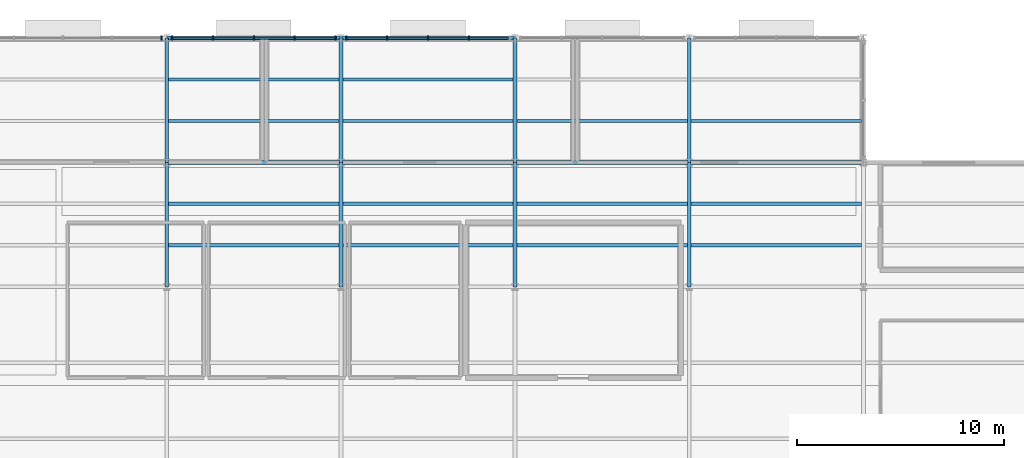
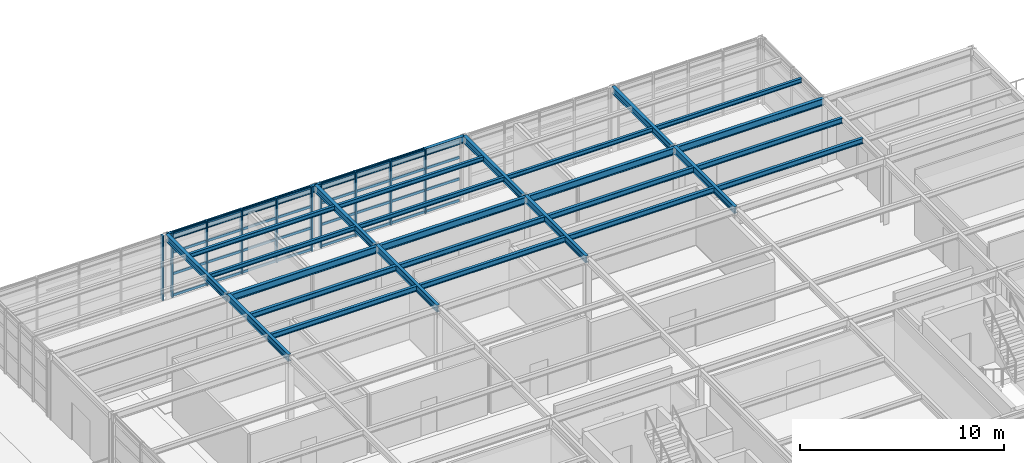
# One storey, part 27 of 49: 41 members, 28 beams, 3 elements without a shape of their own.
"""IFC4 building model written with IfcOpenShell, lengths in metres."""

import ifcopenshell
import ifcopenshell.guid

model = None  # the IFC model being written
_history = None  # IfcOwnerHistory: only IFC2X3 demands one
_inside = {}  # id of a spatial element -> (the spatial element, [elements in it])
_under = {}  # id of a project, library or spatial element -> (it, [spatial elements below it])
_declared = {}  # id of a project -> (the project, [libraries it declares])
_typed = {}  # id of a type object -> (the type object, [elements of that type])
_made_of = {}  # id of a material, layer set ... -> (it, [elements and type objects made of it])


def new_model(schema):
    """Start an empty IFC model of exactly this schema.

    Asked for "IFC4X3", IfcOpenShell would pick the latest addendum, in which some entities
    have other attributes; the version numbers below select the first issue.
    IFC2X3 requires an IfcOwnerHistory on every rooted entity: one is made here for all.
    """
    global model, _history
    if schema == "IFC4X3":
        model = ifcopenshell.file(schema_version=(4, 3, 0, 0))
    else:
        model = ifcopenshell.file(schema=schema)
    _inside.clear()
    _under.clear()
    _declared.clear()
    _typed.clear()
    _made_of.clear()
    _history = None
    if model.schema == "IFC2X3":
        org = make("IfcOrganization", Name="unknown")
        user = make(
            "IfcPersonAndOrganization",
            ThePerson=make("IfcPerson", FamilyName="unknown"),
            TheOrganization=org,
        )
        app = make(
            "IfcApplication",
            ApplicationDeveloper=org,
            Version="unknown",
            ApplicationFullName="unknown",
            ApplicationIdentifier="unknown",
        )
        _history = make(
            "IfcOwnerHistory",
            OwningUser=user,
            OwningApplication=app,
            ChangeAction="ADDED",
            CreationDate=0,
        )
    return model


def make(cls, **values):
    """One entity of the class cls with the attributes given. An attribute that is None is left unset."""
    return model.create_entity(
        cls, **{name: value for name, value in values.items() if value is not None}
    )


def rooted(cls, **values):
    """An entity with a GlobalId (a new one), such as an element, a storey or a relation."""
    return make(cls, GlobalId=ifcopenshell.guid.new(), OwnerHistory=_history, **values)


def si_unit(unit_type, name, prefix=None):
    """IfcSIUnit, for example si_unit("LENGTHUNIT", "METRE", prefix="MILLI")."""
    return make("IfcSIUnit", UnitType=unit_type, Prefix=prefix, Name=name)


def assignment(units):
    """IfcUnitAssignment: the units of a project."""
    return None if units is None else make("IfcUnitAssignment", Units=units)


def point(xyz):
    """IfcCartesianPoint."""
    return None if xyz is None else make("IfcCartesianPoint", Coordinates=xyz)


def direction(xyz):
    """IfcDirection."""
    return None if xyz is None else make("IfcDirection", DirectionRatios=xyz)


def frame(location, z_axis=None, x_axis=None):
    """IfcAxis2Placement3D, a coordinate frame: its origin and axes. An axis left out is left unset."""
    return make(
        "IfcAxis2Placement3D",
        Location=point(location),
        Axis=direction(z_axis),
        RefDirection=direction(x_axis),
    )


def frame_2d(location, x_axis=None):
    """IfcAxis2Placement2D, a coordinate frame in the plane: its origin and x axis."""
    return make(
        "IfcAxis2Placement2D", Location=point(location), RefDirection=direction(x_axis)
    )


def origin():
    """The frame at (0, 0, 0) with its axes left unset."""
    return frame((0.0, 0.0, 0.0))


def origin_2d():
    """The frame at (0, 0) in the plane with its x axis left unset."""
    return frame_2d((0.0, 0.0))


def place(relative_to, where):
    """IfcLocalPlacement: puts the frame where relative to a parent placement (None: the world)."""
    return make(
        "IfcLocalPlacement", PlacementRelTo=relative_to, RelativePlacement=where
    )


def context(
    kind, dimensions, precision=None, world=None, true_north=None, identifier=None
):
    """IfcGeometricRepresentationContext, for example the 3D "Model" context."""
    return make(
        "IfcGeometricRepresentationContext",
        ContextIdentifier=identifier,
        ContextType=kind,
        CoordinateSpaceDimension=dimensions,
        Precision=precision,
        WorldCoordinateSystem=world,
        TrueNorth=true_north,
    )


def subcontext(parent, identifier, kind, view, scale=None):
    """IfcGeometricRepresentationSubContext, for example "Body" below "Model"."""
    return make(
        "IfcGeometricRepresentationSubContext",
        ContextIdentifier=identifier,
        ContextType=kind,
        ParentContext=parent,
        TargetScale=scale,
        TargetView=view,
    )


def project(units=None, contexts=None):
    """IfcProject with its units and contexts."""
    return rooted(
        "IfcProject",
        Name="project",
        RepresentationContexts=contexts,
        UnitsInContext=assignment(units),
    )


def spatial(cls, under=None, at=None, **own):
    """A site, building, storey or space (cls), placed at a placement, below another one or the project."""
    s = rooted(cls, ObjectPlacement=at, **own)
    if under is not None:
        _under.setdefault(under.id(), (under, []))[1].append(s)
    return s


def profile(cls, at=None, kind="AREA", **sizes):
    """A parametric profile (cls). Its sizes go by their IFC names, for example OverallWidth=200.0."""
    return make(cls, ProfileType=kind, Position=at, **sizes)


def rectangle(**sizes):
    """IfcRectangleProfileDef."""
    return profile("IfcRectangleProfileDef", **sizes)


def i_section(**sizes):
    """IfcIShapeProfileDef."""
    return profile("IfcIShapeProfileDef", **sizes)


def extrude(swept, where, along, depth):
    """IfcExtrudedAreaSolid: the profile swept, set in the frame where, extruded along a direction by depth."""
    return make(
        "IfcExtrudedAreaSolid",
        SweptArea=swept,
        Position=where,
        ExtrudedDirection=direction(along),
        Depth=depth,
    )


def shape(context_of_items, identifier, shape_type, items):
    """IfcShapeRepresentation: the items that make up one representation, for example the "Body"."""
    return make(
        "IfcShapeRepresentation",
        ContextOfItems=context_of_items,
        RepresentationIdentifier=identifier,
        RepresentationType=shape_type,
        Items=items,
    )


def material(Name=None, Category=None):
    """IfcMaterial."""
    return make("IfcMaterial", Name=Name, Category=Category)


def layer(
    of_material, thickness, ventilated=None, Name=None, Category=None, Priority=None
):
    """IfcMaterialLayer: one layer of a wall or slab, of a material (None: an air gap)."""
    return make(
        "IfcMaterialLayer",
        Material=of_material,
        LayerThickness=thickness,
        IsVentilated=ventilated,
        Name=Name,
        Category=Category,
        Priority=Priority,
    )


def layer_set(layers, Name=None):
    """IfcMaterialLayerSet."""
    return make("IfcMaterialLayerSet", MaterialLayers=layers, LayerSetName=Name)


def material_profile(
    of_material, cross_section, Name=None, Category=None, Priority=None
):
    """IfcMaterialProfile: a cross section and its material."""
    return make(
        "IfcMaterialProfile",
        Name=Name,
        Material=of_material,
        Profile=cross_section,
        Priority=Priority,
        Category=Category,
    )


def profile_set(profiles, Name=None, composite=None):
    """IfcMaterialProfileSet."""
    return make(
        "IfcMaterialProfileSet",
        Name=Name,
        MaterialProfiles=profiles,
        CompositeProfile=composite,
    )


def made_of(thing, what):
    """Note that an element or type object is made of a material, layer set ...; save() writes the relation."""
    if what is not None:
        _made_of.setdefault(what.id(), (what, []))[1].append(thing)
    return thing


def type_object(cls, material=None, **own):
    """A type object (cls), such as IfcWallType, which elements share."""
    return made_of(rooted(cls, **own), material)


def element(
    cls,
    number,
    at=None,
    inside=None,
    cuts=None,
    type_object=None,
    material=None,
    context=None,
    identifier="Body",
    shape_type=None,
    held_by="IfcProductDefinitionShape",
    body=None,
    shapes=None,
    **own,
):
    """One element of the class cls, such as IfcWall. Its Tag is "e" and its number.

    at: its placement. inside: the storey or other place that contains it. cuts: it is an
    opening in that element (IfcRelVoidsElement). A single representation is given by context,
    identifier, shape_type and body (its items); several are given by shapes. held_by: the class
    of the entity that holds the representations. save() writes the other relations.
    """
    e = rooted(cls, Tag="e%d" % number, ObjectPlacement=at, **own)
    if body is not None:
        shapes = [shape(context, identifier, shape_type, body)]
    if shapes is not None:
        e.Representation = make(held_by, Representations=shapes)
    if inside is not None:
        _inside.setdefault(inside.id(), (inside, []))[1].append(e)
    if cuts is not None:
        rooted(
            "IfcRelVoidsElement", RelatingBuildingElement=cuts, RelatedOpeningElement=e
        )
    if type_object is not None:
        _typed.setdefault(type_object.id(), (type_object, []))[1].append(e)
    return made_of(e, material)


def aggregate(whole, parts):
    """IfcRelAggregates: a whole, such as a stair, and the parts it consists of."""
    return rooted("IfcRelAggregates", RelatingObject=whole, RelatedObjects=parts)


def save(model, path):
    """Write the relations noted so far, then the file.

    IfcRelAggregates (storeys below a building ...), IfcRelContainedInSpatialStructure (elements
    in a storey), IfcRelDefinesByType, IfcRelAssociatesMaterial and IfcRelDeclares: one each for
    every whole, place, type object, material and project.
    """
    for whole, parts in _under.values():
        aggregate(whole, parts)
    for where, things in _inside.values():
        rooted(
            "IfcRelContainedInSpatialStructure",
            RelatedElements=things,
            RelatingStructure=where,
        )
    for kind, things in _typed.values():
        rooted("IfcRelDefinesByType", RelatedObjects=things, RelatingType=kind)
    for what, things in _made_of.values():
        rooted("IfcRelAssociatesMaterial", RelatedObjects=things, RelatingMaterial=what)
    for by, libraries in _declared.values():
        rooted("IfcRelDeclares", RelatingContext=by, RelatedDefinitions=libraries)
    model.write(path)


model = new_model("IFC4")

# Units and contexts
model_context = context("Model", 3, precision=1e-05, world=origin(), true_north=direction((0.0, 1.0)))
body_context = subcontext(model_context, "Body", "Model", "MODEL_VIEW")
ifc_project = project(units=[si_unit("LENGTHUNIT", "METRE"), si_unit("AREAUNIT", "SQUARE_METRE"), si_unit("VOLUMEUNIT", "CUBIC_METRE"), si_unit("PLANEANGLEUNIT", "RADIAN"), si_unit("MASSUNIT", "GRAM", prefix="KILO")], contexts=[model_context])

# Site, building, storey
site_placement = place(None, origin())
site = spatial("IfcSite", under=ifc_project, at=site_placement, CompositionType="ELEMENT")
building_placement = place(site_placement, origin())
building = spatial("IfcBuilding", under=site, at=building_placement, Name="Sitalva Quay Ferry Terminal", CompositionType="ELEMENT")
storey_placement = place(building_placement, frame((0.0, 0.0, 10.199951171875)))
storey = spatial("IfcBuildingStorey", under=building, at=storey_placement, Name="L03", CompositionType="ELEMENT", Elevation=10.199951171875)

# Beams
ifc_material_1 = material(Name="Structural Steel S355JR", Category="steel")
ifc_material_profile_1 = material_profile(ifc_material_1, i_section(OverallWidth=0.178955078125, OverallDepth=0.409912109375, WebThickness=0.0087890625, FlangeThickness=0.014404296875, FilletRadius=0.012939453125, at=origin_2d()), Name="W410x67")
ifc_profile_set_1 = profile_set([ifc_material_profile_1], Name="Structural Steel S355JR")
beam_type_1 = type_object("IfcBeamType", Name="Beam_W410x67", PredefinedType="BEAM", material=ifc_profile_set_1)
for number, where, z_axis, x_axis, name in (
    (1, (84.0, 100.0, 3.715087890625), (0.0, 1.0, 0.0), (-1.0, 0.0, 0.0), "L03 Primary Y girder 1230"),
    (2, (92.39990234375, 100.0, 3.715087890625), (0.0, 1.0, 0.0), (-1.0, 0.0, 0.0), "L03 Primary Y girder 1233"),
    (3, (100.800048828125, 100.0, 3.715087890625), (0.0, 1.0, 0.0), (-1.0, 0.0, 0.0), "L03 Primary Y girder 1236"),
    (4, (109.199951171875, 100.0, 3.715087890625), (0.0, 1.0, 0.0), (-1.0, 0.0, 0.0), "L03 Primary Y girder 1239"),
):
    element("IfcBeam", number, at=place(storey_placement, frame(where, z_axis=z_axis, x_axis=x_axis)), inside=storey, type_object=beam_type_1, Name=name, PredefinedType="BEAM", context=body_context, shape_type="SweptSolid", body=[
        extrude(i_section(OverallWidth=0.178955078125, OverallDepth=0.409912109375, WebThickness=0.0087890625, FlangeThickness=0.014404296875, FilletRadius=0.012939453125, at=origin_2d()), origin(), (0.0, 0.0, 1.0), 6.0),
    ])
beam_1_placement = place(storey_placement, frame((84.0, 112.0, 3.64501953125), z_axis=(1.0, 0.0, 0.0), x_axis=(0.0, 1.0, 0.0)))
element("IfcBeam", 5, at=beam_1_placement, inside=storey, type_object=beam_type_1, Name="L03 Primary X girder 1277", PredefinedType="BEAM", context=body_context, shape_type="SweptSolid", body=[
    extrude(i_section(OverallWidth=0.178955078125, OverallDepth=0.409912109375, WebThickness=0.0087890625, FlangeThickness=0.014404296875, FilletRadius=0.012939453125, at=origin_2d()), origin(), (0.0, 0.0, 1.0), 8.39990234375),
])
beam_2_placement = place(storey_placement, frame((92.39990234375, 112.0, 3.64501953125), z_axis=(1.0, 0.0, 0.0), x_axis=(0.0, 1.0, 0.0)))
element("IfcBeam", 6, at=beam_2_placement, inside=storey, type_object=beam_type_1, Name="L03 Primary X girder 1278", PredefinedType="BEAM", context=body_context, shape_type="SweptSolid", body=[
    extrude(i_section(OverallWidth=0.178955078125, OverallDepth=0.409912109375, WebThickness=0.0087890625, FlangeThickness=0.014404296875, FilletRadius=0.012939453125, at=origin_2d()), origin(), (0.0, 0.0, 1.0), 8.400146484375),
])
for number, where, z_axis, x_axis, name in (
    (7, (84.0, 106.0, 3.64501953125), (0.0, 1.0, 0.0), (-1.0, 0.0, 0.0), "L03 Primary Y girder 1282"),
    (8, (92.39990234375, 106.0, 3.64501953125), (0.0, 1.0, 0.0), (-1.0, 0.0, 0.0), "L03 Primary Y girder 1283"),
    (9, (100.800048828125, 106.0, 3.64501953125), (0.0, 1.0, 0.0), (-1.0, 0.0, 0.0), "L03 Primary Y girder 1284"),
    (10, (109.199951171875, 106.0, 3.64501953125), (0.0, 1.0, 0.0), (-1.0, 0.0, 0.0), "L03 Primary Y girder 1285"),
):
    element("IfcBeam", number, at=place(storey_placement, frame(where, z_axis=z_axis, x_axis=x_axis)), inside=storey, type_object=beam_type_1, Name=name, PredefinedType="BEAM", context=body_context, shape_type="SweptSolid", body=[
        extrude(i_section(OverallWidth=0.178955078125, OverallDepth=0.409912109375, WebThickness=0.0087890625, FlangeThickness=0.014404296875, FilletRadius=0.012939453125, at=origin_2d()), origin(), (0.0, 0.0, 1.0), 6.0),
    ])
ifc_material_2 = material(Name="Structural Steel S355JR", Category="steel")
ifc_material_profile_2 = material_profile(ifc_material_2, i_section(OverallWidth=0.180908203125, OverallDepth=0.4169921875, WebThickness=0.010986328125, FlangeThickness=0.018310546875, FilletRadius=0.012939453125, at=origin_2d()), Name="W410x85")
ifc_profile_set_2 = profile_set([ifc_material_profile_2], Name="Structural Steel S355JR")
beam_type_2 = type_object("IfcBeamType", Name="Beam_W410x85", PredefinedType="BEAM", material=ifc_profile_set_2)
beam_3_placement = place(storey_placement, frame((84.0, 106.0, 3.6416015625), z_axis=(1.0, 0.0, 0.0), x_axis=(0.0, 1.0, 0.0)))
element("IfcBeam", 11, at=beam_3_placement, inside=storey, type_object=beam_type_2, Name="L03 Primary X girder 1220", PredefinedType="BEAM", context=body_context, shape_type="SweptSolid", body=[
    extrude(i_section(OverallWidth=0.180908203125, OverallDepth=0.4169921875, WebThickness=0.010986328125, FlangeThickness=0.018310546875, FilletRadius=0.012939453125, at=origin_2d()), origin(), (0.0, 0.0, 1.0), 8.39990234375),
])
beam_4_placement = place(storey_placement, frame((92.39990234375, 106.0, 3.6416015625), z_axis=(1.0, 0.0, 0.0), x_axis=(0.0, 1.0, 0.0)))
element("IfcBeam", 12, at=beam_4_placement, inside=storey, type_object=beam_type_2, Name="L03 Primary X girder 1221", PredefinedType="BEAM", context=body_context, shape_type="SweptSolid", body=[
    extrude(i_section(OverallWidth=0.180908203125, OverallDepth=0.4169921875, WebThickness=0.010986328125, FlangeThickness=0.018310546875, FilletRadius=0.012939453125, at=origin_2d()), origin(), (0.0, 0.0, 1.0), 8.400146484375),
])
beam_5_placement = place(storey_placement, frame((100.800048828125, 106.0, 3.6416015625), z_axis=(1.0, 0.0, 0.0), x_axis=(0.0, 1.0, 0.0)))
element("IfcBeam", 13, at=beam_5_placement, inside=storey, type_object=beam_type_2, Name="L03 Primary X girder 1222", PredefinedType="BEAM", context=body_context, shape_type="SweptSolid", body=[
    extrude(i_section(OverallWidth=0.180908203125, OverallDepth=0.4169921875, WebThickness=0.010986328125, FlangeThickness=0.018310546875, FilletRadius=0.012939453125, at=origin_2d()), origin(), (0.0, 0.0, 1.0), 8.39990234375),
])
beam_6_placement = place(storey_placement, frame((109.199951171875, 106.0, 3.6416015625), z_axis=(1.0, 0.0, 0.0), x_axis=(0.0, 1.0, 0.0)))
element("IfcBeam", 14, at=beam_6_placement, inside=storey, type_object=beam_type_2, Name="L03 Primary X girder 1223", PredefinedType="BEAM", context=body_context, shape_type="SweptSolid", body=[
    extrude(i_section(OverallWidth=0.180908203125, OverallDepth=0.4169921875, WebThickness=0.010986328125, FlangeThickness=0.018310546875, FilletRadius=0.012939453125, at=origin_2d()), origin(), (0.0, 0.0, 1.0), 8.400146484375),
])
ifc_material_3 = material(Name="Structural Steel S355JR", Category="steel")
ifc_material_profile_3 = material_profile(ifc_material_3, i_section(OverallWidth=0.14697265625, OverallDepth=0.261962890625, WebThickness=0.006591796875, FlangeThickness=0.01123046875, FilletRadius=0.010009765625, at=origin_2d()), Name="W250x39")
ifc_profile_set_3 = profile_set([ifc_material_profile_3], Name="Structural Steel S355JR")
beam_type_3 = type_object("IfcBeamType", Name="Joist_W250x39", PredefinedType="JOIST", material=ifc_profile_set_3)
for number, where, z_axis, x_axis, name in (
    (15, (84.089599609375, 108.0, 3.718994140625), (1.0, 0.0, 0.0), (0.0, 1.0, 0.0), "L03 Secondary joist 1288"),
    (16, (92.489501953125, 108.0, 3.718994140625), (1.0, 0.0, 0.0), (0.0, 1.0, 0.0), "L03 Secondary joist 1289"),
):
    element("IfcBeam", number, at=place(storey_placement, frame(where, z_axis=z_axis, x_axis=x_axis)), inside=storey, type_object=beam_type_3, Name=name, PredefinedType="JOIST", context=body_context, shape_type="SweptSolid", body=[
        extrude(i_section(OverallWidth=0.14697265625, OverallDepth=0.261962890625, WebThickness=0.006591796875, FlangeThickness=0.01123046875, FilletRadius=0.010009765625, at=origin_2d()), origin(), (0.0, 0.0, 1.0), 8.220947265625),
    ])
beam_7_placement = place(storey_placement, frame((100.889404296875, 108.0, 3.718994140625), z_axis=(1.0, 0.0, 0.0), x_axis=(0.0, 1.0, 0.0)))
element("IfcBeam", 17, at=beam_7_placement, inside=storey, type_object=beam_type_3, Name="L03 Secondary joist 1290", PredefinedType="JOIST", context=body_context, shape_type="SweptSolid", body=[
    extrude(i_section(OverallWidth=0.14697265625, OverallDepth=0.261962890625, WebThickness=0.006591796875, FlangeThickness=0.01123046875, FilletRadius=0.010009765625, at=origin_2d()), origin(), (0.0, 0.0, 1.0), 8.22119140625),
])
for number, where, z_axis, x_axis, name in (
    (18, (109.28955078125, 108.0, 3.718994140625), (1.0, 0.0, 0.0), (0.0, 1.0, 0.0), "L03 Secondary joist 1291"),
    (19, (84.089599609375, 110.0, 3.718994140625), (1.0, 0.0, 0.0), (0.0, 1.0, 0.0), "L03 Secondary joist 1293"),
    (20, (92.489501953125, 110.0, 3.718994140625), (1.0, 0.0, 0.0), (0.0, 1.0, 0.0), "L03 Secondary joist 1294"),
):
    element("IfcBeam", number, at=place(storey_placement, frame(where, z_axis=z_axis, x_axis=x_axis)), inside=storey, type_object=beam_type_3, Name=name, PredefinedType="JOIST", context=body_context, shape_type="SweptSolid", body=[
        extrude(i_section(OverallWidth=0.14697265625, OverallDepth=0.261962890625, WebThickness=0.006591796875, FlangeThickness=0.01123046875, FilletRadius=0.010009765625, at=origin_2d()), origin(), (0.0, 0.0, 1.0), 8.220947265625),
    ])
ifc_material_4 = material(Name="Structural Steel S355JR", Category="steel")
ifc_material_profile_4 = material_profile(ifc_material_4, i_section(OverallWidth=0.166015625, OverallDepth=0.31298828125, WebThickness=0.006591796875, FlangeThickness=0.01123046875, FilletRadius=0.010986328125, at=origin_2d()), Name="W310x45")
ifc_profile_set_4 = profile_set([ifc_material_profile_4], Name="Structural Steel S355JR")
beam_type_4 = type_object("IfcBeamType", Name="Joist_W310x45", PredefinedType="JOIST", material=ifc_profile_set_4)
for number, where, z_axis, x_axis, name in (
    (21, (84.089599609375, 102.0, 3.763427734375), (1.0, 0.0, 0.0), (0.0, 1.0, 0.0), "L03 Secondary joist 1265"),
    (22, (92.489501953125, 102.0, 3.763427734375), (1.0, 0.0, 0.0), (0.0, 1.0, 0.0), "L03 Secondary joist 1266"),
):
    element("IfcBeam", number, at=place(storey_placement, frame(where, z_axis=z_axis, x_axis=x_axis)), inside=storey, type_object=beam_type_4, Name=name, PredefinedType="JOIST", context=body_context, shape_type="SweptSolid", body=[
        extrude(i_section(OverallWidth=0.166015625, OverallDepth=0.31298828125, WebThickness=0.006591796875, FlangeThickness=0.01123046875, FilletRadius=0.010986328125, at=origin_2d()), origin(), (0.0, 0.0, 1.0), 8.220947265625),
    ])
beam_8_placement = place(storey_placement, frame((100.889404296875, 102.0, 3.763427734375), z_axis=(1.0, 0.0, 0.0), x_axis=(0.0, 1.0, 0.0)))
element("IfcBeam", 23, at=beam_8_placement, inside=storey, type_object=beam_type_4, Name="L03 Secondary joist 1267", PredefinedType="JOIST", context=body_context, shape_type="SweptSolid", body=[
    extrude(i_section(OverallWidth=0.166015625, OverallDepth=0.31298828125, WebThickness=0.006591796875, FlangeThickness=0.01123046875, FilletRadius=0.010986328125, at=origin_2d()), origin(), (0.0, 0.0, 1.0), 8.22119140625),
])
for number, where, z_axis, x_axis, name in (
    (24, (109.28955078125, 102.0, 3.763427734375), (1.0, 0.0, 0.0), (0.0, 1.0, 0.0), "L03 Secondary joist 1268"),
    (25, (84.089599609375, 104.0, 3.763427734375), (1.0, 0.0, 0.0), (0.0, 1.0, 0.0), "L03 Secondary joist 1271"),
    (26, (92.489501953125, 104.0, 3.763427734375), (1.0, 0.0, 0.0), (0.0, 1.0, 0.0), "L03 Secondary joist 1272"),
):
    element("IfcBeam", number, at=place(storey_placement, frame(where, z_axis=z_axis, x_axis=x_axis)), inside=storey, type_object=beam_type_4, Name=name, PredefinedType="JOIST", context=body_context, shape_type="SweptSolid", body=[
        extrude(i_section(OverallWidth=0.166015625, OverallDepth=0.31298828125, WebThickness=0.006591796875, FlangeThickness=0.01123046875, FilletRadius=0.010986328125, at=origin_2d()), origin(), (0.0, 0.0, 1.0), 8.220947265625),
    ])
beam_9_placement = place(storey_placement, frame((100.889404296875, 104.0, 3.763427734375), z_axis=(1.0, 0.0, 0.0), x_axis=(0.0, 1.0, 0.0)))
element("IfcBeam", 27, at=beam_9_placement, inside=storey, type_object=beam_type_4, Name="L03 Secondary joist 1273", PredefinedType="JOIST", context=body_context, shape_type="SweptSolid", body=[
    extrude(i_section(OverallWidth=0.166015625, OverallDepth=0.31298828125, WebThickness=0.006591796875, FlangeThickness=0.01123046875, FilletRadius=0.010986328125, at=origin_2d()), origin(), (0.0, 0.0, 1.0), 8.22119140625),
])
beam_10_placement = place(storey_placement, frame((109.28955078125, 104.0, 3.763427734375), z_axis=(1.0, 0.0, 0.0), x_axis=(0.0, 1.0, 0.0)))
element("IfcBeam", 28, at=beam_10_placement, inside=storey, type_object=beam_type_4, Name="L03 Secondary joist 1274", PredefinedType="JOIST", context=body_context, shape_type="SweptSolid", body=[
    extrude(i_section(OverallWidth=0.166015625, OverallDepth=0.31298828125, WebThickness=0.006591796875, FlangeThickness=0.01123046875, FilletRadius=0.010986328125, at=origin_2d()), origin(), (0.0, 0.0, 1.0), 8.220947265625),
])

# Curtain wall, member
ifc_material_5 = material(Name="Anodised Aluminium & Low-E Glazing", Category="aluminium")
ifc_layer = layer(ifc_material_5, 0.159912109375)
ifc_layer_set = layer_set([ifc_layer], Name="Anodised Aluminium & Low-E Glazing")
curtain_wall_type = type_object("IfcCurtainWallType", Name="CW_Office_Unitised", PredefinedType="USERDEFINED", material=ifc_layer_set)
curtain_wall_1_placement = place(storey_placement, origin())
curtain_wall_1 = element("IfcCurtainWall", 29, at=curtain_wall_1_placement, inside=storey, type_object=curtain_wall_type, Name="L03 maritime admin north glazing (CW-L03-132)", ObjectType="CURTAIN_WALL", PredefinedType="USERDEFINED")
ifc_material_6 = material(Name="Anodised Aluminium 6063-T6", Category="aluminium")
ifc_material_profile_5 = material_profile(ifc_material_6, rectangle(XDim=0.074951171875, YDim=0.219970703125, at=origin_2d()), Name="ALU75x220")
ifc_profile_set_5 = profile_set([ifc_material_profile_5], Name="Anodised Aluminium 6063-T6")
member_type_1 = type_object("IfcMemberType", Name="Mullion_Alu_75x160", PredefinedType="MULLION", material=ifc_profile_set_5)
member_1_placement = place(storey_placement, frame((83.739990234375, 112.0, 0.0), z_axis=(0.0, 0.0, 1.0), x_axis=(1.0, 0.0, 0.0)))
member_1 = element("IfcMember", 30, at=member_1_placement, type_object=member_type_1, Name="CW-L03-132-M4", PredefinedType="MULLION", context=body_context, shape_type="SweptSolid", body=[
    extrude(rectangle(XDim=0.074951171875, YDim=0.219970703125, at=origin_2d()), origin(), (0.0, 0.0, 1.0), 3.85009765625),
])
aggregate(curtain_wall_1, [member_1])

# Curtain wall, members
curtain_wall_2_placement = place(storey_placement, origin())
curtain_wall_2 = element("IfcCurtainWall", 31, at=curtain_wall_2_placement, inside=storey, type_object=curtain_wall_type, Name="L03 maritime admin north glazing (CW-L03-133)", ObjectType="CURTAIN_WALL", PredefinedType="USERDEFINED")
member_2_placement = place(storey_placement, frame((84.260009765625, 112.0, 0.0), z_axis=(0.0, 0.0, 1.0), x_axis=(1.0, 0.0, 0.0)))
member_2 = element("IfcMember", 32, at=member_2_placement, type_object=member_type_1, Name="CW-L03-133-M0", PredefinedType="MULLION", context=body_context, shape_type="SweptSolid", body=[
    extrude(rectangle(XDim=0.074951171875, YDim=0.219970703125, at=origin_2d()), origin(), (0.0, 0.0, 1.0), 3.85009765625),
])
member_3_placement = place(storey_placement, frame((86.22998046875, 112.0, 0.0), z_axis=(0.0, 0.0, 1.0), x_axis=(1.0, 0.0, 0.0)))
member_3 = element("IfcMember", 33, at=member_3_placement, type_object=member_type_1, Name="CW-L03-133-M1", PredefinedType="MULLION", context=body_context, shape_type="SweptSolid", body=[
    extrude(rectangle(XDim=0.074951171875, YDim=0.219970703125, at=origin_2d()), origin(), (0.0, 0.0, 1.0), 3.85009765625),
])
member_4_placement = place(storey_placement, frame((88.199951171875, 112.0, 0.0), z_axis=(0.0, 0.0, 1.0), x_axis=(1.0, 0.0, 0.0)))
member_4 = element("IfcMember", 34, at=member_4_placement, type_object=member_type_1, Name="CW-L03-133-M2", PredefinedType="MULLION", context=body_context, shape_type="SweptSolid", body=[
    extrude(rectangle(XDim=0.074951171875, YDim=0.219970703125, at=origin_2d()), origin(), (0.0, 0.0, 1.0), 3.85009765625),
])
member_5_placement = place(storey_placement, frame((90.169921875, 112.0, 0.0), z_axis=(0.0, 0.0, 1.0), x_axis=(1.0, 0.0, 0.0)))
member_5 = element("IfcMember", 35, at=member_5_placement, type_object=member_type_1, Name="CW-L03-133-M3", PredefinedType="MULLION", context=body_context, shape_type="SweptSolid", body=[
    extrude(rectangle(XDim=0.074951171875, YDim=0.219970703125, at=origin_2d()), origin(), (0.0, 0.0, 1.0), 3.85009765625),
])
member_6_placement = place(storey_placement, frame((92.139892578125, 112.0, 0.0), z_axis=(0.0, 0.0, 1.0), x_axis=(1.0, 0.0, 0.0)))
member_6 = element("IfcMember", 36, at=member_6_placement, type_object=member_type_1, Name="CW-L03-133-M4", PredefinedType="MULLION", context=body_context, shape_type="SweptSolid", body=[
    extrude(rectangle(XDim=0.074951171875, YDim=0.219970703125, at=origin_2d()), origin(), (0.0, 0.0, 1.0), 3.85009765625),
])

curtain_wall_3_placement = place(storey_placement, origin())
curtain_wall_3 = element("IfcCurtainWall", 37, at=curtain_wall_3_placement, inside=storey, type_object=curtain_wall_type, Name="L03 maritime admin north glazing (CW-L03-134)", ObjectType="CURTAIN_WALL", PredefinedType="USERDEFINED")
member_7_placement = place(storey_placement, frame((92.659912109375, 112.0, 0.0), z_axis=(0.0, 0.0, 1.0), x_axis=(1.0, 0.0, 0.0)))
member_7 = element("IfcMember", 38, at=member_7_placement, type_object=member_type_1, Name="CW-L03-134-M0", PredefinedType="MULLION", context=body_context, shape_type="SweptSolid", body=[
    extrude(rectangle(XDim=0.074951171875, YDim=0.219970703125, at=origin_2d()), origin(), (0.0, 0.0, 1.0), 3.85009765625),
])
member_8_placement = place(storey_placement, frame((94.6298828125, 112.0, 0.0), z_axis=(0.0, 0.0, 1.0), x_axis=(1.0, 0.0, 0.0)))
member_8 = element("IfcMember", 39, at=member_8_placement, type_object=member_type_1, Name="CW-L03-134-M1", PredefinedType="MULLION", context=body_context, shape_type="SweptSolid", body=[
    extrude(rectangle(XDim=0.074951171875, YDim=0.219970703125, at=origin_2d()), origin(), (0.0, 0.0, 1.0), 3.85009765625),
])
member_9_placement = place(storey_placement, frame((96.60009765625, 112.0, 0.0), z_axis=(0.0, 0.0, 1.0), x_axis=(1.0, 0.0, 0.0)))
member_9 = element("IfcMember", 40, at=member_9_placement, type_object=member_type_1, Name="CW-L03-134-M2", PredefinedType="MULLION", context=body_context, shape_type="SweptSolid", body=[
    extrude(rectangle(XDim=0.074951171875, YDim=0.219970703125, at=origin_2d()), origin(), (0.0, 0.0, 1.0), 3.85009765625),
])
member_10_placement = place(storey_placement, frame((98.570068359375, 112.0, 0.0), z_axis=(0.0, 0.0, 1.0), x_axis=(1.0, 0.0, 0.0)))
member_10 = element("IfcMember", 41, at=member_10_placement, type_object=member_type_1, Name="CW-L03-134-M3", PredefinedType="MULLION", context=body_context, shape_type="SweptSolid", body=[
    extrude(rectangle(XDim=0.074951171875, YDim=0.219970703125, at=origin_2d()), origin(), (0.0, 0.0, 1.0), 3.85009765625),
])

# Member
ifc_material_7 = material(Name="Anodised Aluminium 6063-T6", Category="aluminium")
ifc_material_profile_6 = material_profile(ifc_material_7, rectangle(XDim=0.074951171875, YDim=0.14990234375, at=origin_2d()), Name="ALU75x150")
ifc_profile_set_6 = profile_set([ifc_material_profile_6], Name="Anodised Aluminium 6063-T6")
member_type_2 = type_object("IfcMemberType", Name="Transom_Alu_75x140", PredefinedType="MULLION", material=ifc_profile_set_6)
member_11_placement = place(storey_placement, frame((84.297607421875, 112.0, 0.074951171875), z_axis=(1.0, 0.0, 0.0), x_axis=(0.0, 1.0, 0.0)))
member_11 = element("IfcMember", 42, at=member_11_placement, type_object=member_type_2, Name="CW-L03-133-T0-0", ObjectType="TRANSOM", PredefinedType="USERDEFINED", context=body_context, shape_type="SweptSolid", body=[
    extrude(rectangle(XDim=0.074951171875, YDim=0.14990234375, at=origin_2d()), origin(), (0.0, 0.0, 1.0), 1.894775390625),
])

member_12_placement = place(storey_placement, frame((84.297607421875, 112.0, 1.3583984375), z_axis=(1.0, 0.0, 0.0), x_axis=(0.0, 1.0, 0.0)))
member_12 = element("IfcMember", 43, at=member_12_placement, type_object=member_type_2, Name="CW-L03-133-T0-1", ObjectType="TRANSOM", PredefinedType="USERDEFINED", context=body_context, shape_type="SweptSolid", body=[
    extrude(rectangle(XDim=0.074951171875, YDim=0.14990234375, at=origin_2d()), origin(), (0.0, 0.0, 1.0), 1.894775390625),
])

member_13_placement = place(storey_placement, frame((84.297607421875, 112.0, 2.6416015625), z_axis=(1.0, 0.0, 0.0), x_axis=(0.0, 1.0, 0.0)))
member_13 = element("IfcMember", 44, at=member_13_placement, type_object=member_type_2, Name="CW-L03-133-T0-2", ObjectType="TRANSOM", PredefinedType="USERDEFINED", context=body_context, shape_type="SweptSolid", body=[
    extrude(rectangle(XDim=0.074951171875, YDim=0.14990234375, at=origin_2d()), origin(), (0.0, 0.0, 1.0), 1.894775390625),
])

member_14_placement = place(storey_placement, frame((84.297607421875, 112.0, 3.775146484375), z_axis=(1.0, 0.0, 0.0), x_axis=(0.0, 1.0, 0.0)))
member_14 = element("IfcMember", 45, at=member_14_placement, type_object=member_type_2, Name="CW-L03-133-T0-3", ObjectType="TRANSOM", PredefinedType="USERDEFINED", context=body_context, shape_type="SweptSolid", body=[
    extrude(rectangle(XDim=0.074951171875, YDim=0.14990234375, at=origin_2d()), origin(), (0.0, 0.0, 1.0), 1.894775390625),
])

member_15_placement = place(storey_placement, frame((86.267578125, 112.0, 0.074951171875), z_axis=(1.0, 0.0, 0.0), x_axis=(0.0, 1.0, 0.0)))
member_15 = element("IfcMember", 46, at=member_15_placement, type_object=member_type_2, Name="CW-L03-133-T1-0", ObjectType="TRANSOM", PredefinedType="USERDEFINED", context=body_context, shape_type="SweptSolid", body=[
    extrude(rectangle(XDim=0.074951171875, YDim=0.14990234375, at=origin_2d()), origin(), (0.0, 0.0, 1.0), 1.89501953125),
])

member_16_placement = place(storey_placement, frame((86.267578125, 112.0, 1.3583984375), z_axis=(1.0, 0.0, 0.0), x_axis=(0.0, 1.0, 0.0)))
member_16 = element("IfcMember", 47, at=member_16_placement, type_object=member_type_2, Name="CW-L03-133-T1-1", ObjectType="TRANSOM", PredefinedType="USERDEFINED", context=body_context, shape_type="SweptSolid", body=[
    extrude(rectangle(XDim=0.074951171875, YDim=0.14990234375, at=origin_2d()), origin(), (0.0, 0.0, 1.0), 1.89501953125),
])

member_17_placement = place(storey_placement, frame((86.267578125, 112.0, 2.6416015625), z_axis=(1.0, 0.0, 0.0), x_axis=(0.0, 1.0, 0.0)))
member_17 = element("IfcMember", 48, at=member_17_placement, type_object=member_type_2, Name="CW-L03-133-T1-2", ObjectType="TRANSOM", PredefinedType="USERDEFINED", context=body_context, shape_type="SweptSolid", body=[
    extrude(rectangle(XDim=0.074951171875, YDim=0.14990234375, at=origin_2d()), origin(), (0.0, 0.0, 1.0), 1.89501953125),
])

member_18_placement = place(storey_placement, frame((86.267578125, 112.0, 3.775146484375), z_axis=(1.0, 0.0, 0.0), x_axis=(0.0, 1.0, 0.0)))
member_18 = element("IfcMember", 49, at=member_18_placement, type_object=member_type_2, Name="CW-L03-133-T1-3", ObjectType="TRANSOM", PredefinedType="USERDEFINED", context=body_context, shape_type="SweptSolid", body=[
    extrude(rectangle(XDim=0.074951171875, YDim=0.14990234375, at=origin_2d()), origin(), (0.0, 0.0, 1.0), 1.89501953125),
])

member_19_placement = place(storey_placement, frame((88.237548828125, 112.0, 0.074951171875), z_axis=(1.0, 0.0, 0.0), x_axis=(0.0, 1.0, 0.0)))
member_19 = element("IfcMember", 50, at=member_19_placement, type_object=member_type_2, Name="CW-L03-133-T2-0", ObjectType="TRANSOM", PredefinedType="USERDEFINED", context=body_context, shape_type="SweptSolid", body=[
    extrude(rectangle(XDim=0.074951171875, YDim=0.14990234375, at=origin_2d()), origin(), (0.0, 0.0, 1.0), 1.89501953125),
])

member_20_placement = place(storey_placement, frame((88.237548828125, 112.0, 1.3583984375), z_axis=(1.0, 0.0, 0.0), x_axis=(0.0, 1.0, 0.0)))
member_20 = element("IfcMember", 51, at=member_20_placement, type_object=member_type_2, Name="CW-L03-133-T2-1", ObjectType="TRANSOM", PredefinedType="USERDEFINED", context=body_context, shape_type="SweptSolid", body=[
    extrude(rectangle(XDim=0.074951171875, YDim=0.14990234375, at=origin_2d()), origin(), (0.0, 0.0, 1.0), 1.89501953125),
])

member_21_placement = place(storey_placement, frame((88.237548828125, 112.0, 2.6416015625), z_axis=(1.0, 0.0, 0.0), x_axis=(0.0, 1.0, 0.0)))
member_21 = element("IfcMember", 52, at=member_21_placement, type_object=member_type_2, Name="CW-L03-133-T2-2", ObjectType="TRANSOM", PredefinedType="USERDEFINED", context=body_context, shape_type="SweptSolid", body=[
    extrude(rectangle(XDim=0.074951171875, YDim=0.14990234375, at=origin_2d()), origin(), (0.0, 0.0, 1.0), 1.89501953125),
])

member_22_placement = place(storey_placement, frame((88.237548828125, 112.0, 3.775146484375), z_axis=(1.0, 0.0, 0.0), x_axis=(0.0, 1.0, 0.0)))
member_22 = element("IfcMember", 53, at=member_22_placement, type_object=member_type_2, Name="CW-L03-133-T2-3", ObjectType="TRANSOM", PredefinedType="USERDEFINED", context=body_context, shape_type="SweptSolid", body=[
    extrude(rectangle(XDim=0.074951171875, YDim=0.14990234375, at=origin_2d()), origin(), (0.0, 0.0, 1.0), 1.89501953125),
])

member_23_placement = place(storey_placement, frame((90.20751953125, 112.0, 0.074951171875), z_axis=(1.0, 0.0, 0.0), x_axis=(0.0, 1.0, 0.0)))
member_23 = element("IfcMember", 54, at=member_23_placement, type_object=member_type_2, Name="CW-L03-133-T3-0", ObjectType="TRANSOM", PredefinedType="USERDEFINED", context=body_context, shape_type="SweptSolid", body=[
    extrude(rectangle(XDim=0.074951171875, YDim=0.14990234375, at=origin_2d()), origin(), (0.0, 0.0, 1.0), 1.89501953125),
])

member_24_placement = place(storey_placement, frame((90.20751953125, 112.0, 1.3583984375), z_axis=(1.0, 0.0, 0.0), x_axis=(0.0, 1.0, 0.0)))
member_24 = element("IfcMember", 55, at=member_24_placement, type_object=member_type_2, Name="CW-L03-133-T3-1", ObjectType="TRANSOM", PredefinedType="USERDEFINED", context=body_context, shape_type="SweptSolid", body=[
    extrude(rectangle(XDim=0.074951171875, YDim=0.14990234375, at=origin_2d()), origin(), (0.0, 0.0, 1.0), 1.89501953125),
])

member_25_placement = place(storey_placement, frame((90.20751953125, 112.0, 2.6416015625), z_axis=(1.0, 0.0, 0.0), x_axis=(0.0, 1.0, 0.0)))
member_25 = element("IfcMember", 56, at=member_25_placement, type_object=member_type_2, Name="CW-L03-133-T3-2", ObjectType="TRANSOM", PredefinedType="USERDEFINED", context=body_context, shape_type="SweptSolid", body=[
    extrude(rectangle(XDim=0.074951171875, YDim=0.14990234375, at=origin_2d()), origin(), (0.0, 0.0, 1.0), 1.89501953125),
])

member_26_placement = place(storey_placement, frame((90.20751953125, 112.0, 3.775146484375), z_axis=(1.0, 0.0, 0.0), x_axis=(0.0, 1.0, 0.0)))
member_26 = element("IfcMember", 57, at=member_26_placement, type_object=member_type_2, Name="CW-L03-133-T3-3", ObjectType="TRANSOM", PredefinedType="USERDEFINED", context=body_context, shape_type="SweptSolid", body=[
    extrude(rectangle(XDim=0.074951171875, YDim=0.14990234375, at=origin_2d()), origin(), (0.0, 0.0, 1.0), 1.89501953125),
])

aggregate(curtain_wall_2, [member_2, member_3, member_4, member_5, member_6, member_11, member_12, member_13, member_14, member_15, member_16, member_17, member_18, member_19, member_20, member_21, member_22, member_23, member_24, member_25, member_26])

member_27_placement = place(storey_placement, frame((92.697509765625, 112.0, 0.074951171875), z_axis=(1.0, 0.0, 0.0), x_axis=(0.0, 1.0, 0.0)))
member_27 = element("IfcMember", 58, at=member_27_placement, type_object=member_type_2, Name="CW-L03-134-T0-0", ObjectType="TRANSOM", PredefinedType="USERDEFINED", context=body_context, shape_type="SweptSolid", body=[
    extrude(rectangle(XDim=0.074951171875, YDim=0.14990234375, at=origin_2d()), origin(), (0.0, 0.0, 1.0), 1.89501953125),
])

member_28_placement = place(storey_placement, frame((92.697509765625, 112.0, 1.3583984375), z_axis=(1.0, 0.0, 0.0), x_axis=(0.0, 1.0, 0.0)))
member_28 = element("IfcMember", 59, at=member_28_placement, type_object=member_type_2, Name="CW-L03-134-T0-1", ObjectType="TRANSOM", PredefinedType="USERDEFINED", context=body_context, shape_type="SweptSolid", body=[
    extrude(rectangle(XDim=0.074951171875, YDim=0.14990234375, at=origin_2d()), origin(), (0.0, 0.0, 1.0), 1.89501953125),
])

member_29_placement = place(storey_placement, frame((92.697509765625, 112.0, 2.6416015625), z_axis=(1.0, 0.0, 0.0), x_axis=(0.0, 1.0, 0.0)))
member_29 = element("IfcMember", 60, at=member_29_placement, type_object=member_type_2, Name="CW-L03-134-T0-2", ObjectType="TRANSOM", PredefinedType="USERDEFINED", context=body_context, shape_type="SweptSolid", body=[
    extrude(rectangle(XDim=0.074951171875, YDim=0.14990234375, at=origin_2d()), origin(), (0.0, 0.0, 1.0), 1.89501953125),
])

member_30_placement = place(storey_placement, frame((92.697509765625, 112.0, 3.775146484375), z_axis=(1.0, 0.0, 0.0), x_axis=(0.0, 1.0, 0.0)))
member_30 = element("IfcMember", 61, at=member_30_placement, type_object=member_type_2, Name="CW-L03-134-T0-3", ObjectType="TRANSOM", PredefinedType="USERDEFINED", context=body_context, shape_type="SweptSolid", body=[
    extrude(rectangle(XDim=0.074951171875, YDim=0.14990234375, at=origin_2d()), origin(), (0.0, 0.0, 1.0), 1.89501953125),
])

member_31_placement = place(storey_placement, frame((94.66748046875, 112.0, 0.074951171875), z_axis=(1.0, 0.0, 0.0), x_axis=(0.0, 1.0, 0.0)))
member_31 = element("IfcMember", 62, at=member_31_placement, type_object=member_type_2, Name="CW-L03-134-T1-0", ObjectType="TRANSOM", PredefinedType="USERDEFINED", context=body_context, shape_type="SweptSolid", body=[
    extrude(rectangle(XDim=0.074951171875, YDim=0.14990234375, at=origin_2d()), origin(), (0.0, 0.0, 1.0), 1.89501953125),
])

member_32_placement = place(storey_placement, frame((94.66748046875, 112.0, 1.3583984375), z_axis=(1.0, 0.0, 0.0), x_axis=(0.0, 1.0, 0.0)))
member_32 = element("IfcMember", 63, at=member_32_placement, type_object=member_type_2, Name="CW-L03-134-T1-1", ObjectType="TRANSOM", PredefinedType="USERDEFINED", context=body_context, shape_type="SweptSolid", body=[
    extrude(rectangle(XDim=0.074951171875, YDim=0.14990234375, at=origin_2d()), origin(), (0.0, 0.0, 1.0), 1.89501953125),
])

member_33_placement = place(storey_placement, frame((94.66748046875, 112.0, 2.6416015625), z_axis=(1.0, 0.0, 0.0), x_axis=(0.0, 1.0, 0.0)))
member_33 = element("IfcMember", 64, at=member_33_placement, type_object=member_type_2, Name="CW-L03-134-T1-2", ObjectType="TRANSOM", PredefinedType="USERDEFINED", context=body_context, shape_type="SweptSolid", body=[
    extrude(rectangle(XDim=0.074951171875, YDim=0.14990234375, at=origin_2d()), origin(), (0.0, 0.0, 1.0), 1.89501953125),
])

member_34_placement = place(storey_placement, frame((94.66748046875, 112.0, 3.775146484375), z_axis=(1.0, 0.0, 0.0), x_axis=(0.0, 1.0, 0.0)))
member_34 = element("IfcMember", 65, at=member_34_placement, type_object=member_type_2, Name="CW-L03-134-T1-3", ObjectType="TRANSOM", PredefinedType="USERDEFINED", context=body_context, shape_type="SweptSolid", body=[
    extrude(rectangle(XDim=0.074951171875, YDim=0.14990234375, at=origin_2d()), origin(), (0.0, 0.0, 1.0), 1.89501953125),
])

member_35_placement = place(storey_placement, frame((96.637451171875, 112.0, 0.074951171875), z_axis=(1.0, 0.0, 0.0), x_axis=(0.0, 1.0, 0.0)))
member_35 = element("IfcMember", 66, at=member_35_placement, type_object=member_type_2, Name="CW-L03-134-T2-0", ObjectType="TRANSOM", PredefinedType="USERDEFINED", context=body_context, shape_type="SweptSolid", body=[
    extrude(rectangle(XDim=0.074951171875, YDim=0.14990234375, at=origin_2d()), origin(), (0.0, 0.0, 1.0), 1.89501953125),
])

member_36_placement = place(storey_placement, frame((96.637451171875, 112.0, 1.3583984375), z_axis=(1.0, 0.0, 0.0), x_axis=(0.0, 1.0, 0.0)))
member_36 = element("IfcMember", 67, at=member_36_placement, type_object=member_type_2, Name="CW-L03-134-T2-1", ObjectType="TRANSOM", PredefinedType="USERDEFINED", context=body_context, shape_type="SweptSolid", body=[
    extrude(rectangle(XDim=0.074951171875, YDim=0.14990234375, at=origin_2d()), origin(), (0.0, 0.0, 1.0), 1.89501953125),
])

member_37_placement = place(storey_placement, frame((96.637451171875, 112.0, 2.6416015625), z_axis=(1.0, 0.0, 0.0), x_axis=(0.0, 1.0, 0.0)))
member_37 = element("IfcMember", 68, at=member_37_placement, type_object=member_type_2, Name="CW-L03-134-T2-2", ObjectType="TRANSOM", PredefinedType="USERDEFINED", context=body_context, shape_type="SweptSolid", body=[
    extrude(rectangle(XDim=0.074951171875, YDim=0.14990234375, at=origin_2d()), origin(), (0.0, 0.0, 1.0), 1.89501953125),
])

member_38_placement = place(storey_placement, frame((96.637451171875, 112.0, 3.775146484375), z_axis=(1.0, 0.0, 0.0), x_axis=(0.0, 1.0, 0.0)))
member_38 = element("IfcMember", 69, at=member_38_placement, type_object=member_type_2, Name="CW-L03-134-T2-3", ObjectType="TRANSOM", PredefinedType="USERDEFINED", context=body_context, shape_type="SweptSolid", body=[
    extrude(rectangle(XDim=0.074951171875, YDim=0.14990234375, at=origin_2d()), origin(), (0.0, 0.0, 1.0), 1.89501953125),
])

member_39_placement = place(storey_placement, frame((98.607421875, 112.0, 0.074951171875), z_axis=(1.0, 0.0, 0.0), x_axis=(0.0, 1.0, 0.0)))
member_39 = element("IfcMember", 70, at=member_39_placement, type_object=member_type_2, Name="CW-L03-134-T3-0", ObjectType="TRANSOM", PredefinedType="USERDEFINED", context=body_context, shape_type="SweptSolid", body=[
    extrude(rectangle(XDim=0.074951171875, YDim=0.14990234375, at=origin_2d()), origin(), (0.0, 0.0, 1.0), 1.89501953125),
])

member_40_placement = place(storey_placement, frame((98.607421875, 112.0, 1.3583984375), z_axis=(1.0, 0.0, 0.0), x_axis=(0.0, 1.0, 0.0)))
member_40 = element("IfcMember", 71, at=member_40_placement, type_object=member_type_2, Name="CW-L03-134-T3-1", ObjectType="TRANSOM", PredefinedType="USERDEFINED", context=body_context, shape_type="SweptSolid", body=[
    extrude(rectangle(XDim=0.074951171875, YDim=0.14990234375, at=origin_2d()), origin(), (0.0, 0.0, 1.0), 1.89501953125),
])

member_41_placement = place(storey_placement, frame((98.607421875, 112.0, 2.6416015625), z_axis=(1.0, 0.0, 0.0), x_axis=(0.0, 1.0, 0.0)))
member_41 = element("IfcMember", 72, at=member_41_placement, type_object=member_type_2, Name="CW-L03-134-T3-2", ObjectType="TRANSOM", PredefinedType="USERDEFINED", context=body_context, shape_type="SweptSolid", body=[
    extrude(rectangle(XDim=0.074951171875, YDim=0.14990234375, at=origin_2d()), origin(), (0.0, 0.0, 1.0), 1.89501953125),
])

aggregate(curtain_wall_3, [member_7, member_8, member_9, member_10, member_27, member_28, member_29, member_30, member_31, member_32, member_33, member_34, member_35, member_36, member_37, member_38, member_39, member_40, member_41])

save(model, "model.ifc")
